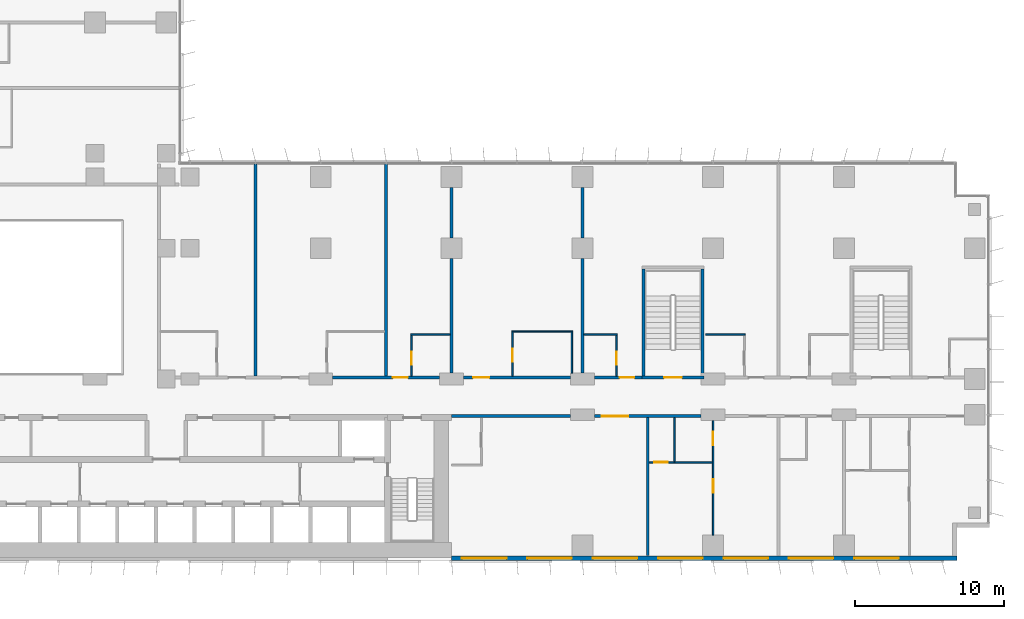
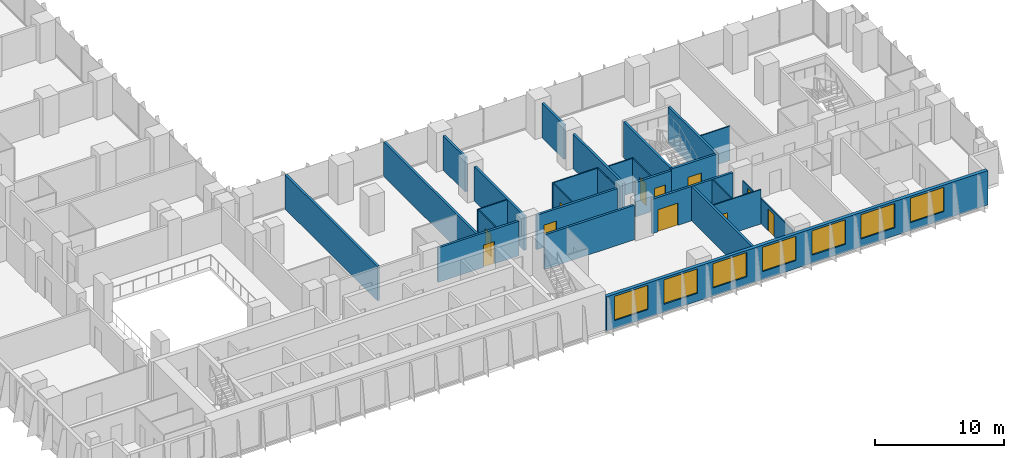
# One storey, part 14 of 24: 27 walls, 11 doors, 7 windows, 18 openings.
"""IFC4 building model written with IfcOpenShell, lengths in metres."""

from ifc_helpers import new_model, si_unit, direction, frame, frame_2d, origin, place, context, subcontext, project, spatial, rectangle, extrude, material, layer, layer_set, type_object, element, fill, save


model = new_model("IFC4")

# Units and contexts
model_context = context("Model", 3, precision=1e-05, world=origin(), true_north=direction((0.0, 1.0)))
body_context = subcontext(model_context, "Body", "Model", "MODEL_VIEW")
ifc_project = project(units=[si_unit("LENGTHUNIT", "METRE"), si_unit("AREAUNIT", "SQUARE_METRE"), si_unit("VOLUMEUNIT", "CUBIC_METRE"), si_unit("PLANEANGLEUNIT", "RADIAN"), si_unit("MASSUNIT", "GRAM", prefix="KILO")], contexts=[model_context])

# Site, building, storey
site_placement = place(None, origin())
site = spatial("IfcSite", under=ifc_project, at=site_placement, CompositionType="ELEMENT")
building_placement = place(site_placement, origin())
building = spatial("IfcBuilding", under=site, at=building_placement, Name="Kemantara Hotel Tower", CompositionType="ELEMENT")
storey_placement = place(building_placement, frame((0.0, 0.0, 79.699951171875)))
storey = spatial("IfcBuildingStorey", under=building, at=storey_placement, Name="L18", CompositionType="ELEMENT", Elevation=79.699951171875)

# Wall, openings, windows
ifc_material_1 = material(Name="Bronze anodised aluminium cladding on insulated steel stud wall", Category="steel")
ifc_layer_1 = layer(ifc_material_1, 0.300048828125)
ifc_layer_set_1 = layer_set([ifc_layer_1], Name="Bronze anodised aluminium cladding on insulated steel stud wall")
wall_type_1 = type_object("IfcWallType", Name="BRONZE METAL-CLAD EXTERNAL WALL 300", PredefinedType="STANDARD", material=ifc_layer_set_1)
wall_1_placement = place(storey_placement, frame((45.0, 0.14990234375, 0.0), z_axis=(0.0, 0.0, 1.0), x_axis=(1.0, 0.0, 0.0)))
wall_1 = element("IfcWall", 1, at=wall_1_placement, inside=storey, type_object=wall_type_1, Name="EXTERNAL WALL L18 T1-R01-3", PredefinedType="STANDARD", context=body_context, shape_type="SweptSolid", body=[
    extrude(rectangle(XDim=34.0, YDim=0.300048828125, at=frame_2d((17.0, 0.0))), origin(), (0.0, 0.0, 1.0), 3.25),
])
opening_1_placement = place(wall_1_placement, frame((0.699951171875, 0.0, 0.75)))
opening_1 = element("IfcOpeningElement", 2, at=opening_1_placement, cuts=wall_1, Name="Opening W1", PredefinedType="OPENING", context=body_context, shape_type="SweptSolid", body=[
    extrude(rectangle(XDim=3.0, YDim=2.300048828125, at=frame_2d((1.5, 1.14990234375))), frame((0.0, 0.159912109375, 0.0), z_axis=(0.0, -1.0, 0.0), x_axis=(1.0, 0.0, 0.0)), (0.0, 0.0, 1.0), 0.320068359375),
])
opening_2_placement = place(wall_1_placement, frame((5.10009765625, 0.0, 0.75)))
opening_2 = element("IfcOpeningElement", 3, at=opening_2_placement, cuts=wall_1, Name="Opening W1", PredefinedType="OPENING", context=body_context, shape_type="SweptSolid", body=[
    extrude(rectangle(XDim=3.0, YDim=2.300048828125, at=frame_2d((1.5, 1.14990234375))), frame((0.0, 0.159912109375, 0.0), z_axis=(0.0, -1.0, 0.0), x_axis=(1.0, 0.0, 0.0)), (0.0, 0.0, 1.0), 0.320068359375),
])
opening_3_placement = place(wall_1_placement, frame((9.5, 0.0, 0.75)))
opening_3 = element("IfcOpeningElement", 4, at=opening_3_placement, cuts=wall_1, Name="Opening W1", PredefinedType="OPENING", context=body_context, shape_type="SweptSolid", body=[
    extrude(rectangle(XDim=3.0, YDim=2.300048828125, at=frame_2d((1.5, 1.14990234375))), frame((0.0, 0.159912109375, 0.0), z_axis=(0.0, -1.0, 0.0), x_axis=(1.0, 0.0, 0.0)), (0.0, 0.0, 1.0), 0.320068359375),
])
opening_4_placement = place(wall_1_placement, frame((13.89990234375, 0.0, 0.75)))
opening_4 = element("IfcOpeningElement", 5, at=opening_4_placement, cuts=wall_1, Name="Opening W1", PredefinedType="OPENING", context=body_context, shape_type="SweptSolid", body=[
    extrude(rectangle(XDim=3.0, YDim=2.300048828125, at=frame_2d((1.5, 1.14990234375))), frame((0.0, 0.159912109375, 0.0), z_axis=(0.0, -1.0, 0.0), x_axis=(1.0, 0.0, 0.0)), (0.0, 0.0, 1.0), 0.320068359375),
])
opening_5_placement = place(wall_1_placement, frame((18.300048828125, 0.0, 0.75)))
opening_5 = element("IfcOpeningElement", 6, at=opening_5_placement, cuts=wall_1, Name="Opening W1", PredefinedType="OPENING", context=body_context, shape_type="SweptSolid", body=[
    extrude(rectangle(XDim=3.0, YDim=2.300048828125, at=frame_2d((1.5, 1.14990234375))), frame((0.0, 0.159912109375, 0.0), z_axis=(0.0, -1.0, 0.0), x_axis=(1.0, 0.0, 0.0)), (0.0, 0.0, 1.0), 0.320068359375),
])
opening_6_placement = place(wall_1_placement, frame((22.699951171875, 0.0, 0.75)))
opening_6 = element("IfcOpeningElement", 7, at=opening_6_placement, cuts=wall_1, Name="Opening W1", PredefinedType="OPENING", context=body_context, shape_type="SweptSolid", body=[
    extrude(rectangle(XDim=3.0, YDim=2.300048828125, at=frame_2d((1.5, 1.14990234375))), frame((0.0, 0.159912109375, 0.0), z_axis=(0.0, -1.0, 0.0), x_axis=(1.0, 0.0, 0.0)), (0.0, 0.0, 1.0), 0.320068359375),
])
opening_7_placement = place(wall_1_placement, frame((27.10009765625, 0.0, 0.75)))
opening_7 = element("IfcOpeningElement", 8, at=opening_7_placement, cuts=wall_1, Name="Opening W1", PredefinedType="OPENING", context=body_context, shape_type="SweptSolid", body=[
    extrude(rectangle(XDim=3.0, YDim=2.300048828125, at=frame_2d((1.5, 1.14990234375))), frame((0.0, 0.159912109375, 0.0), z_axis=(0.0, -1.0, 0.0), x_axis=(1.0, 0.0, 0.0)), (0.0, 0.0, 1.0), 0.320068359375),
])
ifc_material_2 = material(Name="Low-E tinted double insulated glass in bronze anodised aluminium frame", Category="aluminium")
window_type = type_object("IfcWindowType", Name="CHICAGO WINDOW, TRIPLE PANEL 3000x2300", PartitioningType="TRIPLE_PANEL_VERTICAL", PredefinedType="WINDOW", material=ifc_material_2)
window_1_placement = place(opening_1_placement, origin())
window_1 = element("IfcWindow", 9, at=window_1_placement, inside=storey, type_object=window_type, Name="CHICAGO WINDOW L18 T1-R01-450", OverallHeight=2.300048828125, OverallWidth=3.0, PartitioningType="SINGLE_PANEL", PredefinedType="WINDOW", context=body_context, shape_type="SweptSolid", body=[
    extrude(rectangle(XDim=3.0, YDim=2.300048828125, at=frame_2d((1.5, 1.14990234375))), frame((0.0, 0.030029296875, 0.0), z_axis=(0.0, -1.0, 0.0), x_axis=(1.0, 0.0, 0.0)), (0.0, 0.0, 1.0), 0.06005859375),
])
fill(opening_1, window_1)
window_2_placement = place(opening_2_placement, origin())
window_2 = element("IfcWindow", 10, at=window_2_placement, inside=storey, type_object=window_type, Name="CHICAGO WINDOW L18 T1-R01-494", OverallHeight=2.300048828125, OverallWidth=3.0, PartitioningType="SINGLE_PANEL", PredefinedType="WINDOW", context=body_context, shape_type="SweptSolid", body=[
    extrude(rectangle(XDim=3.0, YDim=2.300048828125, at=frame_2d((1.5, 1.14990234375))), frame((0.0, 0.030029296875, 0.0), z_axis=(0.0, -1.0, 0.0), x_axis=(1.0, 0.0, 0.0)), (0.0, 0.0, 1.0), 0.06005859375),
])
fill(opening_2, window_2)
window_3_placement = place(opening_3_placement, origin())
window_3 = element("IfcWindow", 11, at=window_3_placement, inside=storey, type_object=window_type, Name="CHICAGO WINDOW L18 T1-R01-538", OverallHeight=2.300048828125, OverallWidth=3.0, PartitioningType="SINGLE_PANEL", PredefinedType="WINDOW", context=body_context, shape_type="SweptSolid", body=[
    extrude(rectangle(XDim=3.0, YDim=2.300048828125, at=frame_2d((1.5, 1.14990234375))), frame((0.0, 0.030029296875, 0.0), z_axis=(0.0, -1.0, 0.0), x_axis=(1.0, 0.0, 0.0)), (0.0, 0.0, 1.0), 0.06005859375),
])
fill(opening_3, window_3)
window_4_placement = place(opening_4_placement, origin())
window_4 = element("IfcWindow", 12, at=window_4_placement, inside=storey, type_object=window_type, Name="CHICAGO WINDOW L18 T1-R01-582", OverallHeight=2.300048828125, OverallWidth=3.0, PartitioningType="SINGLE_PANEL", PredefinedType="WINDOW", context=body_context, shape_type="SweptSolid", body=[
    extrude(rectangle(XDim=3.0, YDim=2.300048828125, at=frame_2d((1.5, 1.14990234375))), frame((0.0, 0.030029296875, 0.0), z_axis=(0.0, -1.0, 0.0), x_axis=(1.0, 0.0, 0.0)), (0.0, 0.0, 1.0), 0.06005859375),
])
fill(opening_4, window_4)
window_5_placement = place(opening_5_placement, origin())
window_5 = element("IfcWindow", 13, at=window_5_placement, inside=storey, type_object=window_type, Name="CHICAGO WINDOW L18 T1-R01-626", OverallHeight=2.300048828125, OverallWidth=3.0, PartitioningType="SINGLE_PANEL", PredefinedType="WINDOW", context=body_context, shape_type="SweptSolid", body=[
    extrude(rectangle(XDim=3.0, YDim=2.300048828125, at=frame_2d((1.5, 1.14990234375))), frame((0.0, 0.030029296875, 0.0), z_axis=(0.0, -1.0, 0.0), x_axis=(1.0, 0.0, 0.0)), (0.0, 0.0, 1.0), 0.06005859375),
])
fill(opening_5, window_5)
window_6_placement = place(opening_6_placement, origin())
window_6 = element("IfcWindow", 14, at=window_6_placement, inside=storey, type_object=window_type, Name="CHICAGO WINDOW L18 T1-R01-670", OverallHeight=2.300048828125, OverallWidth=3.0, PartitioningType="SINGLE_PANEL", PredefinedType="WINDOW", context=body_context, shape_type="SweptSolid", body=[
    extrude(rectangle(XDim=3.0, YDim=2.300048828125, at=frame_2d((1.5, 1.14990234375))), frame((0.0, 0.030029296875, 0.0), z_axis=(0.0, -1.0, 0.0), x_axis=(1.0, 0.0, 0.0)), (0.0, 0.0, 1.0), 0.06005859375),
])
fill(opening_6, window_6)
window_7_placement = place(opening_7_placement, origin())
window_7 = element("IfcWindow", 15, at=window_7_placement, inside=storey, type_object=window_type, Name="CHICAGO WINDOW L18 T1-R01-714", OverallHeight=2.300048828125, OverallWidth=3.0, PartitioningType="SINGLE_PANEL", PredefinedType="WINDOW", context=body_context, shape_type="SweptSolid", body=[
    extrude(rectangle(XDim=3.0, YDim=2.300048828125, at=frame_2d((1.5, 1.14990234375))), frame((0.0, 0.030029296875, 0.0), z_axis=(0.0, -1.0, 0.0), x_axis=(1.0, 0.0, 0.0)), (0.0, 0.0, 1.0), 0.06005859375),
])
fill(opening_7, window_7)

# Wall
ifc_material_3 = material(Name="Gypsum board partition, steel studs and mineral wool, 200 mm", Category="steel")
ifc_layer_2 = layer(ifc_material_3, 0.199951171875)
ifc_layer_set_2 = layer_set([ifc_layer_2], Name="Gypsum board partition, steel studs and mineral wool, 200 mm")
wall_type_2 = type_object("IfcWallType", Name="CORRIDOR WALL 200", PredefinedType="PARTITIONING", material=ifc_layer_set_2)
wall_2_placement = place(storey_placement, frame((45.0, 9.699951171875, 0.0), z_axis=(0.0, 0.0, 1.0), x_axis=(1.0, 0.0, 0.0)))
element("IfcWall", 16, at=wall_2_placement, inside=storey, type_object=wall_type_2, Name="CORRIDOR WALL 200 001", PredefinedType="PARTITIONING", context=body_context, shape_type="SweptSolid", body=[
    extrude(rectangle(XDim=8.0, YDim=0.199951171875, at=frame_2d((4.0, 0.0))), origin(), (0.0, 0.0, 1.0), 3.25),
])

# Wall, opening, door
wall_3_placement = place(storey_placement, frame((61.7998046875, 9.699951171875, 0.0), z_axis=(0.0, 0.0, 1.0), x_axis=(-1.0, 0.0, 0.0)))
wall_3 = element("IfcWall", 17, at=wall_3_placement, inside=storey, type_object=wall_type_2, Name="CORRIDOR WALL 200 002", PredefinedType="PARTITIONING", context=body_context, shape_type="SweptSolid", body=[
    extrude(rectangle(XDim=7.19970703125, YDim=0.199951171875, at=frame_2d((3.599853515625, 0.0))), origin(), (0.0, 0.0, 1.0), 3.25),
])
opening_8_placement = place(wall_3_placement, frame((4.89990234375, 0.0, 0.0)))
opening_8 = element("IfcOpeningElement", 18, at=opening_8_placement, cuts=wall_3, Name="Opening F06-001", PredefinedType="OPENING", context=body_context, shape_type="SweptSolid", body=[
    extrude(rectangle(XDim=1.800048828125, YDim=2.10009765625, at=frame_2d((0.89990234375, 1.050048828125))), frame((0.0, 0.10986328125, 0.0), z_axis=(0.0, -1.0, 0.0), x_axis=(1.0, 0.0, 0.0)), (0.0, 0.0, 1.0), 0.219970703125),
])
ifc_material_4 = material(Name="Hardwood veneer door leaf with steel frame", Category="steel")
door_type_1 = type_object("IfcDoorType", Name="GUEST ROOM DOOR 1800 X 2100 FD30S", OperationType="NOTDEFINED", PredefinedType="DOOR", material=ifc_material_4)
door_1_placement = place(opening_8_placement, origin())
door_1 = element("IfcDoor", 19, at=door_1_placement, inside=storey, type_object=door_type_1, Name="GUEST ROOM DOOR F06-001", OperationType="DOUBLE_DOOR_SINGLE_SWING", OverallHeight=2.10009765625, OverallWidth=1.800048828125, PredefinedType="DOOR", context=body_context, shape_type="SweptSolid", body=[
    extrude(rectangle(XDim=1.800048828125, YDim=2.10009765625, at=frame_2d((0.89990234375, 1.050048828125))), frame((0.0, 0.02490234375, 0.0), z_axis=(0.0, -1.0, 0.0), x_axis=(1.0, 0.0, 0.0)), (0.0, 0.0, 1.0), 0.050048828125),
])
fill(opening_8, door_1)

wall_4_placement = place(storey_placement, frame((37.0, 12.300048828125, 0.0), z_axis=(0.0, 0.0, 1.0), x_axis=(1.0, 0.0, 0.0)))
wall_4 = element("IfcWall", 20, at=wall_4_placement, inside=storey, type_object=wall_type_2, Name="CORRIDOR WALL 200 011", PredefinedType="PARTITIONING", context=body_context, shape_type="SweptSolid", body=[
    extrude(rectangle(XDim=7.199951171875, YDim=0.199951171875, at=frame_2d((3.60009765625, 0.0))), origin(), (0.0, 0.0, 1.0), 3.25),
])
opening_9_placement = place(wall_4_placement, frame((4.0498046875, 0.0, 0.0)))
opening_9 = element("IfcOpeningElement", 21, at=opening_9_placement, cuts=wall_4, Name="Opening F06-017", PredefinedType="OPENING", context=body_context, shape_type="SweptSolid", body=[
    extrude(rectangle(XDim=1.0, YDim=2.10009765625, at=frame_2d((0.5, 1.050048828125))), frame((0.0, 0.10986328125, 0.0), z_axis=(0.0, -1.0, 0.0), x_axis=(1.0, 0.0, 0.0)), (0.0, 0.0, 1.0), 0.219970703125),
])
door_type_2 = type_object("IfcDoorType", Name="GUEST ROOM DOOR 1000 X 2100 FD30S", OperationType="NOTDEFINED", PredefinedType="DOOR", material=ifc_material_4)
door_2_placement = place(opening_9_placement, origin())
door_2 = element("IfcDoor", 22, at=door_2_placement, inside=storey, type_object=door_type_2, Name="GUEST ROOM DOOR F06-017", OperationType="SINGLE_SWING_LEFT", OverallHeight=2.10009765625, OverallWidth=1.0, PredefinedType="DOOR", context=body_context, shape_type="SweptSolid", body=[
    extrude(rectangle(XDim=1.0, YDim=2.10009765625, at=frame_2d((0.5, 1.050048828125))), frame((0.0, 0.02490234375, 0.0), z_axis=(0.0, -1.0, 0.0), x_axis=(1.0, 0.0, 0.0)), (0.0, 0.0, 1.0), 0.050048828125),
])
fill(opening_9, door_2)

wall_5_placement = place(storey_placement, frame((45.800048828125, 12.300048828125, 0.0), z_axis=(0.0, 0.0, 1.0), x_axis=(1.0, 0.0, 0.0)))
wall_5 = element("IfcWall", 23, at=wall_5_placement, inside=storey, type_object=wall_type_2, Name="CORRIDOR WALL 200 012", PredefinedType="PARTITIONING", context=body_context, shape_type="SweptSolid", body=[
    extrude(rectangle(XDim=7.199951171875, YDim=0.199951171875, at=frame_2d((3.60009765625, 0.0))), origin(), (0.0, 0.0, 1.0), 3.25),
])
opening_10_placement = place(wall_5_placement, frame((0.64990234375, 0.0, 0.0)))
opening_10 = element("IfcOpeningElement", 24, at=opening_10_placement, cuts=wall_5, Name="Opening F06-019", PredefinedType="OPENING", context=body_context, shape_type="SweptSolid", body=[
    extrude(rectangle(XDim=1.10009765625, YDim=2.10009765625, at=frame_2d((0.550048828125, 1.050048828125))), frame((0.0, 0.10986328125, 0.0), z_axis=(0.0, -1.0, 0.0), x_axis=(1.0, 0.0, 0.0)), (0.0, 0.0, 1.0), 0.219970703125),
])
door_type_3 = type_object("IfcDoorType", Name="SUITE ENTRANCE DOOR 1100 X 2100 FD30S", OperationType="NOTDEFINED", PredefinedType="DOOR", material=ifc_material_4)
door_3_placement = place(opening_10_placement, origin())
door_3 = element("IfcDoor", 25, at=door_3_placement, inside=storey, type_object=door_type_3, Name="SUITE ENTRANCE DOOR F06-019", OperationType="SINGLE_SWING_LEFT", OverallHeight=2.10009765625, OverallWidth=1.10009765625, PredefinedType="DOOR", context=body_context, shape_type="SweptSolid", body=[
    extrude(rectangle(XDim=1.10009765625, YDim=2.10009765625, at=frame_2d((0.550048828125, 1.050048828125))), frame((0.0, 0.02490234375, 0.0), z_axis=(0.0, -1.0, 0.0), x_axis=(1.0, 0.0, 0.0)), (0.0, 0.0, 1.0), 0.050048828125),
])
fill(opening_10, door_3)

wall_6_placement = place(storey_placement, frame((54.60009765625, 12.300048828125, 0.0), z_axis=(0.0, 0.0, 1.0), x_axis=(1.0, 0.0, 0.0)))
wall_6 = element("IfcWall", 26, at=wall_6_placement, inside=storey, type_object=wall_type_2, Name="CORRIDOR WALL 200 013", PredefinedType="PARTITIONING", context=body_context, shape_type="SweptSolid", body=[
    extrude(rectangle(XDim=3.199951171875, YDim=0.199951171875, at=frame_2d((1.60009765625, 0.0))), origin(), (0.0, 0.0, 1.0), 3.25),
])
opening_11_placement = place(wall_6_placement, frame((1.699951171875, 0.0, 0.0)))
opening_11 = element("IfcOpeningElement", 27, at=opening_11_placement, cuts=wall_6, Name="Opening F06-021", PredefinedType="OPENING", context=body_context, shape_type="SweptSolid", body=[
    extrude(rectangle(XDim=1.0, YDim=2.10009765625, at=frame_2d((0.5, 1.050048828125))), frame((0.0, 0.10986328125, 0.0), z_axis=(0.0, -1.0, 0.0), x_axis=(1.0, 0.0, 0.0)), (0.0, 0.0, 1.0), 0.219970703125),
])
door_4_placement = place(opening_11_placement, origin())
door_4 = element("IfcDoor", 28, at=door_4_placement, inside=storey, type_object=door_type_2, Name="GUEST ROOM DOOR F06-021", OperationType="SINGLE_SWING_RIGHT", OverallHeight=2.10009765625, OverallWidth=1.0, PredefinedType="DOOR", context=body_context, shape_type="SweptSolid", body=[
    extrude(rectangle(XDim=1.0, YDim=2.10009765625, at=frame_2d((0.5, 1.050048828125))), frame((0.0, 0.02490234375, 0.0), z_axis=(0.0, -1.0, 0.0), x_axis=(1.0, 0.0, 0.0)), (0.0, 0.0, 1.0), 0.050048828125),
])
fill(opening_11, door_4)

ifc_material_5 = material(Name="Concrete fc 40 MPa", Category="concrete")
ifc_layer_3 = layer(ifc_material_5, 0.199951171875)
ifc_layer_set_3 = layer_set([ifc_layer_3], Name="Concrete fc 40 MPa")
wall_type_3 = type_object("IfcWallType", Name="Concrete stair wall 200 mm", PredefinedType="SHEAR", material=ifc_layer_set_3)
wall_7_placement = place(storey_placement, frame((57.800048828125, 12.300048828125, 0.0), z_axis=(0.0, 0.0, 1.0), x_axis=(1.0, 0.0, 0.0)))
wall_7 = element("IfcWall", 29, at=wall_7_placement, inside=storey, type_object=wall_type_3, Name="Stair ST3 enclosure wall with door", PredefinedType="SHEAR", context=body_context, shape_type="SweptSolid", body=[
    extrude(rectangle(XDim=4.199951171875, YDim=0.199951171875, at=frame_2d((2.10009765625, 0.0))), origin(), (0.0, 0.0, 1.0), 3.400146484375),
])
opening_12_placement = place(wall_7_placement, frame((1.5, 0.0, 0.0)))
opening_12 = element("IfcOpeningElement", 30, at=opening_12_placement, cuts=wall_7, Name="Opening ST3-C", PredefinedType="OPENING", context=body_context, shape_type="SweptSolid", body=[
    extrude(rectangle(XDim=1.199951171875, YDim=2.10009765625, at=frame_2d((0.60009765625, 1.050048828125))), frame((0.0, 0.10986328125, 0.0), z_axis=(0.0, -1.0, 0.0), x_axis=(1.0, 0.0, 0.0)), (0.0, 0.0, 1.0), 0.219970703125),
])
ifc_material_6 = material(Name="Steel fire door", Category="steel")
door_type_4 = type_object("IfcDoorType", Name="Fire door FD90 1200 x 2100", OperationType="NOTDEFINED", PredefinedType="DOOR", material=ifc_material_6)
door_5_placement = place(opening_12_placement, origin())
door_5 = element("IfcDoor", 31, at=door_5_placement, inside=storey, type_object=door_type_4, Name="Stair ST3 door", OperationType="SINGLE_SWING_RIGHT", OverallHeight=2.10009765625, OverallWidth=1.199951171875, PredefinedType="DOOR", context=body_context, shape_type="SweptSolid", body=[
    extrude(rectangle(XDim=1.199951171875, YDim=2.10009765625, at=frame_2d((0.60009765625, 1.050048828125))), frame((0.0, 0.02490234375, 0.0), z_axis=(0.0, -1.0, 0.0), x_axis=(1.0, 0.0, 0.0)), (0.0, 0.0, 1.0), 0.050048828125),
])
fill(opening_12, door_5)

# Walls
for number, where, z_axis, x_axis, name in (
    (32, (57.89990234375, 12.39990234375, 0.0), (0.0, 0.0, 1.0), (0.0, 1.0, 0.0), "Stair ST3 enclosure wall W"),
    (33, (61.89990234375, 12.39990234375, 0.0), (0.0, 0.0, 1.0), (0.0, 1.0, 0.0), "Stair ST3 enclosure wall E"),
):
    element("IfcWall", number, at=place(storey_placement, frame(where, z_axis=z_axis, x_axis=x_axis)), inside=storey, type_object=wall_type_3, Name=name, PredefinedType="SHEAR", context=body_context, shape_type="SweptSolid", body=[
        extrude(rectangle(XDim=7.2001953125, YDim=0.199951171875, at=frame_2d((3.60009765625, 0.0))), origin(), (0.0, 0.0, 1.0), 3.400146484375),
    ])
ifc_layer_4 = layer(ifc_material_3, 0.199951171875)
ifc_layer_set_4 = layer_set([ifc_layer_4], Name="Gypsum board partition, steel studs and mineral wool, 200 mm")
wall_type_4 = type_object("IfcWallType", Name="GUEST ROOM PARTY WALL 200", PredefinedType="PARTITIONING", material=ifc_layer_set_4)
wall_8_placement = place(storey_placement, frame((58.199951171875, 0.31005859375, 0.0), z_axis=(0.0, 0.0, 1.0), x_axis=(0.0, 1.0, 0.0)))
element("IfcWall", 34, at=wall_8_placement, inside=storey, type_object=wall_type_4, Name="GUEST ROOM PARTY WALL 200 005", PredefinedType="PARTITIONING", context=body_context, shape_type="SweptSolid", body=[
    extrude(rectangle(XDim=9.2900390625, YDim=0.199951171875, at=frame_2d((4.64501953125, 0.0))), origin(), (0.0, 0.0, 1.0), 3.25),
])
for number, where, z_axis, x_axis, name in (
    (35, (31.800048828125, 12.39990234375, 0.0), (0.0, 0.0, 1.0), (0.0, 1.0, 0.0), "GUEST ROOM PARTY WALL 200 019"),
    (36, (40.60009765625, 12.39990234375, 0.0), (0.0, 0.0, 1.0), (0.0, 1.0, 0.0), "GUEST ROOM PARTY WALL 200 020"),
):
    element("IfcWall", number, at=place(storey_placement, frame(where, z_axis=z_axis, x_axis=x_axis)), inside=storey, type_object=wall_type_4, Name=name, PredefinedType="PARTITIONING", context=body_context, shape_type="SweptSolid", body=[
        extrude(rectangle(XDim=14.27001953125, YDim=0.199951171875, at=frame_2d((7.135009765625, 0.0))), origin(), (0.0, 0.0, 1.0), 3.25),
    ])
wall_9_placement = place(storey_placement, frame((45.0, 12.60009765625, 0.0), z_axis=(0.0, 0.0, 1.0), x_axis=(0.0, 1.0, 0.0)))
element("IfcWall", 37, at=wall_9_placement, inside=storey, type_object=wall_type_4, Name="GUEST ROOM PARTY WALL 200 021", PredefinedType="PARTITIONING", context=body_context, shape_type="SweptSolid", body=[
    extrude(rectangle(XDim=7.69970703125, YDim=0.199951171875, at=frame_2d((3.849853515625, 0.0))), origin(), (0.0, 0.0, 1.0), 3.25),
])
wall_10_placement = place(storey_placement, frame((45.0, 21.7001953125, 0.0), z_axis=(0.0, 0.0, 1.0), x_axis=(0.0, 1.0, 0.0)))
element("IfcWall", 38, at=wall_10_placement, inside=storey, type_object=wall_type_4, Name="GUEST ROOM PARTY WALL 200 022", PredefinedType="PARTITIONING", context=body_context, shape_type="SweptSolid", body=[
    extrude(rectangle(XDim=3.399658203125, YDim=0.199951171875, at=frame_2d((1.69970703125, 0.0))), origin(), (0.0, 0.0, 1.0), 3.25),
])
wall_11_placement = place(storey_placement, frame((53.800048828125, 12.60009765625, 0.0), z_axis=(0.0, 0.0, 1.0), x_axis=(0.0, 1.0, 0.0)))
element("IfcWall", 39, at=wall_11_placement, inside=storey, type_object=wall_type_4, Name="GUEST ROOM PARTY WALL 200 023", PredefinedType="PARTITIONING", context=body_context, shape_type="SweptSolid", body=[
    extrude(rectangle(XDim=7.69970703125, YDim=0.199951171875, at=frame_2d((3.849853515625, 0.0))), origin(), (0.0, 0.0, 1.0), 3.25),
])
wall_12_placement = place(storey_placement, frame((53.800048828125, 21.7001953125, 0.0), z_axis=(0.0, 0.0, 1.0), x_axis=(0.0, 1.0, 0.0)))
element("IfcWall", 40, at=wall_12_placement, inside=storey, type_object=wall_type_4, Name="GUEST ROOM PARTY WALL 200 024", PredefinedType="PARTITIONING", context=body_context, shape_type="SweptSolid", body=[
    extrude(rectangle(XDim=3.399658203125, YDim=0.199951171875, at=frame_2d((1.69970703125, 0.0))), origin(), (0.0, 0.0, 1.0), 3.25),
])

# Wall, opening, door
ifc_material_7 = material(Name="Gypsum board partition on steel studs, 100 mm", Category="steel")
ifc_layer_5 = layer(ifc_material_7, 0.10009765625)
ifc_layer_set_5 = layer_set([ifc_layer_5], Name="Gypsum board partition on steel studs, 100 mm")
wall_type_5 = type_object("IfcWallType", Name="ROOM PARTITION 100", PredefinedType="PARTITIONING", material=ifc_layer_set_5)
wall_13_placement = place(storey_placement, frame((58.300048828125, 6.60009765625, 0.0), z_axis=(0.0, 0.0, 1.0), x_axis=(1.0, 0.0, 0.0)))
wall_13 = element("IfcWall", 41, at=wall_13_placement, inside=storey, type_object=wall_type_5, Name="ROOM PARTITION 100 060", PredefinedType="PARTITIONING", context=body_context, shape_type="SweptSolid", body=[
    extrude(rectangle(XDim=4.25, YDim=0.10009765625, at=frame_2d((2.125, 0.0))), origin(), (0.0, 0.0, 1.0), 3.25),
])
opening_13_placement = place(wall_13_placement, frame((0.35009765625, 0.0, 0.0)))
opening_13 = element("IfcOpeningElement", 42, at=opening_13_placement, cuts=wall_13, Name="Opening F06-006", PredefinedType="OPENING", context=body_context, shape_type="SweptSolid", body=[
    extrude(rectangle(XDim=0.89990234375, YDim=2.10009765625, at=frame_2d((0.449951171875, 1.050048828125))), frame((0.0, 0.06005859375, 0.0), z_axis=(0.0, -1.0, 0.0), x_axis=(1.0, 0.0, 0.0)), (0.0, 0.0, 1.0), 0.1201171875),
])
door_type_5 = type_object("IfcDoorType", Name="BATHROOM DOOR 900 X 2100", OperationType="NOTDEFINED", PredefinedType="DOOR", material=ifc_material_4)
door_6_placement = place(opening_13_placement, origin())
door_6 = element("IfcDoor", 43, at=door_6_placement, inside=storey, type_object=door_type_5, Name="BATHROOM DOOR F06-006", OperationType="SINGLE_SWING_RIGHT", OverallHeight=2.10009765625, OverallWidth=0.89990234375, PredefinedType="DOOR", context=body_context, shape_type="SweptSolid", body=[
    extrude(rectangle(XDim=0.89990234375, YDim=2.10009765625, at=frame_2d((0.449951171875, 1.050048828125))), frame((0.0, 0.02490234375, 0.0), z_axis=(0.0, -1.0, 0.0), x_axis=(1.0, 0.0, 0.0)), (0.0, 0.0, 1.0), 0.050048828125),
])
fill(opening_13, door_6)

# Wall, openings, doors
wall_14_placement = place(storey_placement, frame((62.60009765625, 1.7001953125, 0.0), z_axis=(0.0, 0.0, 1.0), x_axis=(0.0, 1.0, 0.0)))
wall_14 = element("IfcWall", 44, at=wall_14_placement, inside=storey, type_object=wall_type_5, Name="ROOM PARTITION 100 061", PredefinedType="PARTITIONING", context=body_context, shape_type="SweptSolid", body=[
    extrude(rectangle(XDim=7.69970703125, YDim=0.10009765625, at=frame_2d((3.849853515625, 0.0))), origin(), (0.0, 0.0, 1.0), 2.35009765625),
])
opening_14_placement = place(wall_14_placement, frame((6.0498046875, 0.0, 0.0)))
opening_14 = element("IfcOpeningElement", 45, at=opening_14_placement, cuts=wall_14, Name="Opening F06-004", PredefinedType="OPENING", context=body_context, shape_type="SweptSolid", body=[
    extrude(rectangle(XDim=0.89990234375, YDim=2.10009765625, at=frame_2d((0.449951171875, 1.050048828125))), frame((0.0, 0.06005859375, 0.0), z_axis=(0.0, -1.0, 0.0), x_axis=(1.0, 0.0, 0.0)), (0.0, 0.0, 1.0), 0.1201171875),
])
opening_15_placement = place(wall_14_placement, frame((2.849853515625, 0.0, 0.0)))
opening_15 = element("IfcOpeningElement", 46, at=opening_15_placement, cuts=wall_14, Name="Opening F06-005", PredefinedType="OPENING", context=body_context, shape_type="SweptSolid", body=[
    extrude(rectangle(XDim=0.89990234375, YDim=2.10009765625, at=frame_2d((0.449951171875, 1.050048828125))), frame((0.0, 0.06005859375, 0.0), z_axis=(0.0, -1.0, 0.0), x_axis=(1.0, 0.0, 0.0)), (0.0, 0.0, 1.0), 0.1201171875),
])
door_type_6 = type_object("IfcDoorType", Name="INTERNAL DOOR 900 X 2100", OperationType="NOTDEFINED", PredefinedType="DOOR", material=ifc_material_4)
door_7_placement = place(opening_15_placement, origin())
door_7 = element("IfcDoor", 47, at=door_7_placement, inside=storey, type_object=door_type_6, Name="INTERNAL DOOR F06-005", OperationType="SINGLE_SWING_RIGHT", OverallHeight=2.10009765625, OverallWidth=0.89990234375, PredefinedType="DOOR", context=body_context, shape_type="SweptSolid", body=[
    extrude(rectangle(XDim=0.89990234375, YDim=2.10009765625, at=frame_2d((0.449951171875, 1.050048828125))), frame((0.0, 0.02490234375, 0.0), z_axis=(0.0, -1.0, 0.0), x_axis=(1.0, 0.0, 0.0)), (0.0, 0.0, 1.0), 0.050048828125),
])
fill(opening_15, door_7)
door_type_7 = type_object("IfcDoorType", Name="PANTRY DOOR 900 X 2100", OperationType="NOTDEFINED", PredefinedType="DOOR", material=ifc_material_4)
door_8_placement = place(opening_14_placement, frame((0.89990234375, 0.0, 0.0), z_axis=(0.0, 0.0, 1.0), x_axis=(-1.0, 0.0, 0.0)))
door_8 = element("IfcDoor", 48, at=door_8_placement, inside=storey, type_object=door_type_7, Name="PANTRY DOOR F06-004", OperationType="SINGLE_SWING_RIGHT", OverallHeight=2.10009765625, OverallWidth=0.89990234375, PredefinedType="DOOR", context=body_context, shape_type="SweptSolid", body=[
    extrude(rectangle(XDim=0.89990234375, YDim=2.10009765625, at=frame_2d((0.449951171875, 1.050048828125))), frame((0.0, 0.02490234375, 0.0), z_axis=(0.0, -1.0, 0.0), x_axis=(1.0, 0.0, 0.0)), (0.0, 0.0, 1.0), 0.050048828125),
])
fill(opening_14, door_8)

# Walls
wall_15_placement = place(storey_placement, frame((60.0, 6.64990234375, 0.0), z_axis=(0.0, 0.0, 1.0), x_axis=(0.0, 1.0, 0.0)))
element("IfcWall", 49, at=wall_15_placement, inside=storey, type_object=wall_type_5, Name="ROOM PARTITION 100 062", PredefinedType="PARTITIONING", context=body_context, shape_type="SweptSolid", body=[
    extrude(rectangle(XDim=2.9501953125, YDim=0.10009765625, at=frame_2d((1.47509765625, 0.0))), origin(), (0.0, 0.0, 1.0), 3.25),
])
wall_16_placement = place(storey_placement, frame((49.050048828125, 15.39990234375, 0.0), z_axis=(0.0, 0.0, 1.0), x_axis=(1.0, 0.0, 0.0)))
element("IfcWall", 50, at=wall_16_placement, inside=storey, type_object=wall_type_5, Name="ROOM PARTITION 100 070", PredefinedType="PARTITIONING", context=body_context, shape_type="SweptSolid", body=[
    extrude(rectangle(XDim=4.099853515625, YDim=0.10009765625, at=frame_2d((2.0498046875, 0.0))), origin(), (0.0, 0.0, 1.0), 3.25),
])
wall_17_placement = place(storey_placement, frame((42.25, 15.199951171875, 0.0), z_axis=(0.0, 0.0, 1.0), x_axis=(1.0, 0.0, 0.0)))
element("IfcWall", 51, at=wall_17_placement, inside=storey, type_object=wall_type_5, Name="ROOM PARTITION 100 073", PredefinedType="PARTITIONING", context=body_context, shape_type="SweptSolid", body=[
    extrude(rectangle(XDim=2.64990234375, YDim=0.10009765625, at=frame_2d((1.324951171875, 0.0))), origin(), (0.0, 0.0, 1.0), 3.25),
])
wall_18_placement = place(storey_placement, frame((53.89990234375, 15.199951171875, 0.0), z_axis=(0.0, 0.0, 1.0), x_axis=(1.0, 0.0, 0.0)))
element("IfcWall", 52, at=wall_18_placement, inside=storey, type_object=wall_type_5, Name="ROOM PARTITION 100 074", PredefinedType="PARTITIONING", context=body_context, shape_type="SweptSolid", body=[
    extrude(rectangle(XDim=2.25, YDim=0.10009765625, at=frame_2d((1.125, 0.0))), origin(), (0.0, 0.0, 1.0), 3.25),
])
wall_19_placement = place(storey_placement, frame((62.10009765625, 15.199951171875, 0.0), z_axis=(0.0, 0.0, 1.0), x_axis=(1.0, 0.0, 0.0)))
element("IfcWall", 53, at=wall_19_placement, inside=storey, type_object=wall_type_5, Name="ROOM PARTITION 100 075", PredefinedType="PARTITIONING", context=body_context, shape_type="SweptSolid", body=[
    extrude(rectangle(XDim=2.64990234375, YDim=0.10009765625, at=frame_2d((1.324951171875, 0.0))), origin(), (0.0, 0.0, 1.0), 3.25),
])

# Wall, opening, door
wall_20_placement = place(storey_placement, frame((42.300048828125, 15.14990234375, 0.0), z_axis=(0.0, 0.0, 1.0), x_axis=(0.0, -1.0, 0.0)))
wall_20 = element("IfcWall", 54, at=wall_20_placement, inside=storey, type_object=wall_type_5, Name="ROOM PARTITION 100 077", PredefinedType="PARTITIONING", context=body_context, shape_type="SweptSolid", body=[
    extrude(rectangle(XDim=2.75, YDim=0.10009765625, at=frame_2d((1.375, 0.0))), origin(), (0.0, 0.0, 1.0), 3.25),
])
opening_16_placement = place(wall_20_placement, frame((1.10009765625, 0.0, 0.0)))
opening_16 = element("IfcOpeningElement", 55, at=opening_16_placement, cuts=wall_20, Name="Opening F06-018", PredefinedType="OPENING", context=body_context, shape_type="SweptSolid", body=[
    extrude(rectangle(XDim=0.89990234375, YDim=2.10009765625, at=frame_2d((0.449951171875, 1.050048828125))), frame((0.0, 0.06005859375, 0.0), z_axis=(0.0, -1.0, 0.0), x_axis=(1.0, 0.0, 0.0)), (0.0, 0.0, 1.0), 0.1201171875),
])
door_9_placement = place(opening_16_placement, origin())
door_9 = element("IfcDoor", 56, at=door_9_placement, inside=storey, type_object=door_type_5, Name="BATHROOM DOOR F06-018", OperationType="SINGLE_SWING_RIGHT", OverallHeight=2.10009765625, OverallWidth=0.89990234375, PredefinedType="DOOR", context=body_context, shape_type="SweptSolid", body=[
    extrude(rectangle(XDim=0.89990234375, YDim=2.10009765625, at=frame_2d((0.449951171875, 1.050048828125))), frame((0.0, 0.02490234375, 0.0), z_axis=(0.0, -1.0, 0.0), x_axis=(1.0, 0.0, 0.0)), (0.0, 0.0, 1.0), 0.050048828125),
])
fill(opening_16, door_9)

wall_21_placement = place(storey_placement, frame((49.10009765625, 15.35009765625, 0.0), z_axis=(0.0, 0.0, 1.0), x_axis=(0.0, -1.0, 0.0)))
wall_21 = element("IfcWall", 57, at=wall_21_placement, inside=storey, type_object=wall_type_5, Name="ROOM PARTITION 100 078", PredefinedType="PARTITIONING", context=body_context, shape_type="SweptSolid", body=[
    extrude(rectangle(XDim=2.9501953125, YDim=0.10009765625, at=frame_2d((1.47509765625, 0.0))), origin(), (0.0, 0.0, 1.0), 3.25),
])
opening_17_placement = place(wall_21_placement, frame((1.10009765625, 0.0, 0.0)))
opening_17 = element("IfcOpeningElement", 58, at=opening_17_placement, cuts=wall_21, Name="Opening F06-020", PredefinedType="OPENING", context=body_context, shape_type="SweptSolid", body=[
    extrude(rectangle(XDim=0.89990234375, YDim=2.10009765625, at=frame_2d((0.449951171875, 1.050048828125))), frame((0.0, 0.06005859375, 0.0), z_axis=(0.0, -1.0, 0.0), x_axis=(1.0, 0.0, 0.0)), (0.0, 0.0, 1.0), 0.1201171875),
])
door_10_placement = place(opening_17_placement, origin())
door_10 = element("IfcDoor", 59, at=door_10_placement, inside=storey, type_object=door_type_5, Name="BATHROOM DOOR F06-020", OperationType="SINGLE_SWING_RIGHT", OverallHeight=2.10009765625, OverallWidth=0.89990234375, PredefinedType="DOOR", context=body_context, shape_type="SweptSolid", body=[
    extrude(rectangle(XDim=0.89990234375, YDim=2.10009765625, at=frame_2d((0.449951171875, 1.050048828125))), frame((0.0, 0.02490234375, 0.0), z_axis=(0.0, -1.0, 0.0), x_axis=(1.0, 0.0, 0.0)), (0.0, 0.0, 1.0), 0.050048828125),
])
fill(opening_17, door_10)

# Wall
wall_22_placement = place(storey_placement, frame((53.10009765625, 12.60009765625, 0.0), z_axis=(0.0, 0.0, 1.0), x_axis=(0.0, 1.0, 0.0)))
element("IfcWall", 60, at=wall_22_placement, inside=storey, type_object=wall_type_5, Name="ROOM PARTITION 100 079", PredefinedType="PARTITIONING", context=body_context, shape_type="SweptSolid", body=[
    extrude(rectangle(XDim=2.75, YDim=0.10009765625, at=frame_2d((1.375, 0.0))), origin(), (0.0, 0.0, 1.0), 3.25),
])

# Wall, opening, door
wall_23_placement = place(storey_placement, frame((56.10009765625, 12.39990234375, 0.0), z_axis=(0.0, 0.0, 1.0), x_axis=(0.0, 1.0, 0.0)))
wall_23 = element("IfcWall", 61, at=wall_23_placement, inside=storey, type_object=wall_type_5, Name="ROOM PARTITION 100 080", PredefinedType="PARTITIONING", context=body_context, shape_type="SweptSolid", body=[
    extrude(rectangle(XDim=2.75, YDim=0.10009765625, at=frame_2d((1.375, 0.0))), origin(), (0.0, 0.0, 1.0), 3.25),
])
opening_18_placement = place(wall_23_placement, frame((0.75, 0.0, 0.0)))
opening_18 = element("IfcOpeningElement", 62, at=opening_18_placement, cuts=wall_23, Name="Opening F06-022", PredefinedType="OPENING", context=body_context, shape_type="SweptSolid", body=[
    extrude(rectangle(XDim=0.89990234375, YDim=2.10009765625, at=frame_2d((0.449951171875, 1.050048828125))), frame((0.0, 0.06005859375, 0.0), z_axis=(0.0, -1.0, 0.0), x_axis=(1.0, 0.0, 0.0)), (0.0, 0.0, 1.0), 0.1201171875),
])
door_11_placement = place(opening_18_placement, origin())
door_11 = element("IfcDoor", 63, at=door_11_placement, inside=storey, type_object=door_type_5, Name="BATHROOM DOOR F06-022", OperationType="SINGLE_SWING_LEFT", OverallHeight=2.10009765625, OverallWidth=0.89990234375, PredefinedType="DOOR", context=body_context, shape_type="SweptSolid", body=[
    extrude(rectangle(XDim=0.89990234375, YDim=2.10009765625, at=frame_2d((0.449951171875, 1.050048828125))), frame((0.0, 0.02490234375, 0.0), z_axis=(0.0, -1.0, 0.0), x_axis=(1.0, 0.0, 0.0)), (0.0, 0.0, 1.0), 0.050048828125),
])
fill(opening_18, door_11)

save(model, "model.ifc")
